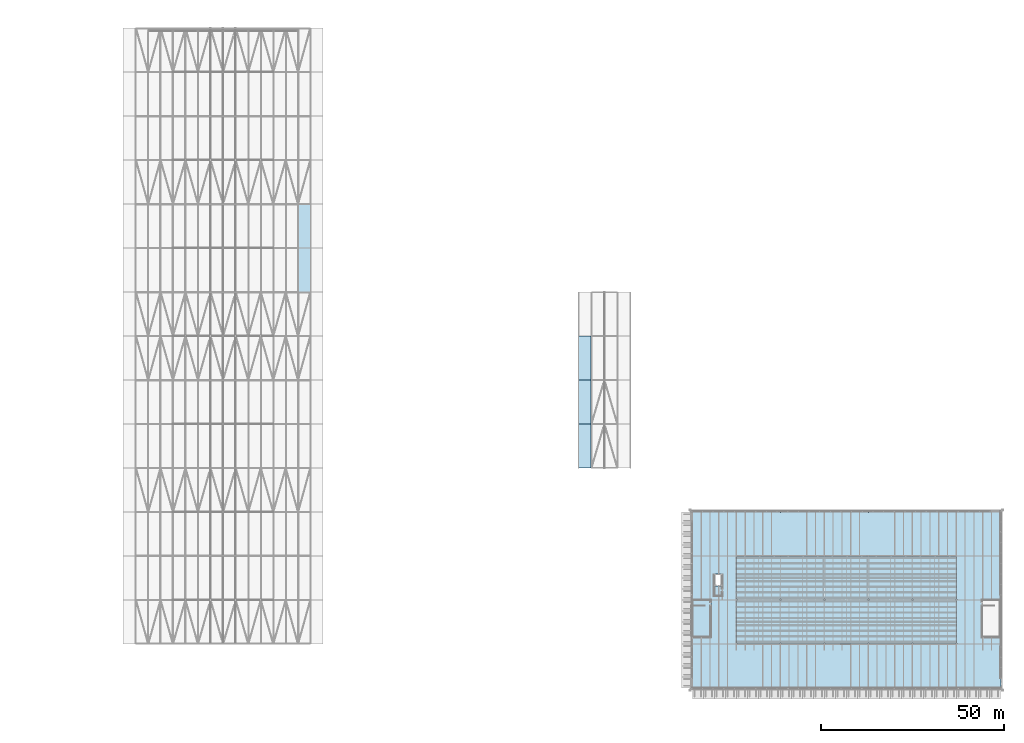
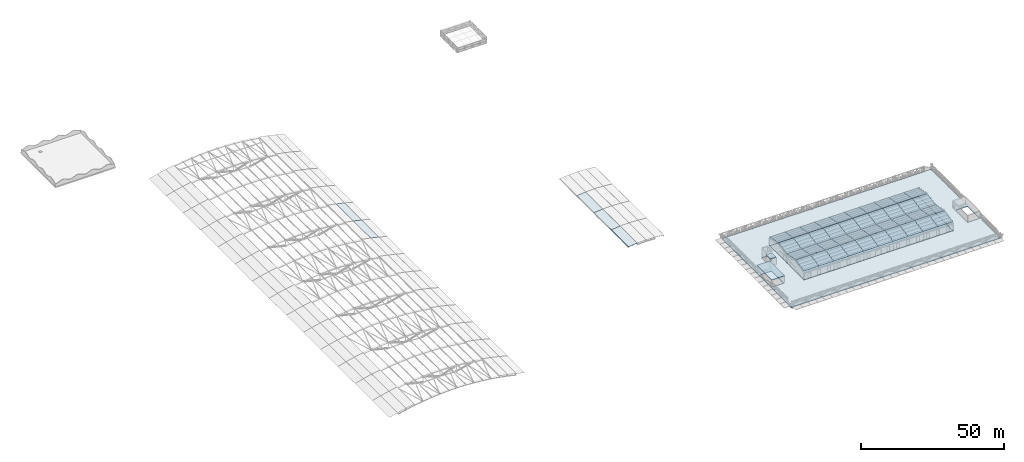
# One storey, part 51 of 91: 49 slabs.
"""IFC4 building model written with IfcOpenShell, lengths in metres."""

from ifc_helpers import new_model, si_unit, direction, frame, origin, place, context, subcontext, project, spatial, polyline, outline, extrude, material, layer, layer_set, type_object, element, save


model = new_model("IFC4")

# Units and contexts
model_context = context("Model", 3, precision=1e-05, world=origin(), true_north=direction((0.0, 1.0)))
body_context = subcontext(model_context, "Body", "Model", "MODEL_VIEW")
ifc_project = project(units=[si_unit("LENGTHUNIT", "METRE"), si_unit("AREAUNIT", "SQUARE_METRE"), si_unit("VOLUMEUNIT", "CUBIC_METRE"), si_unit("PLANEANGLEUNIT", "RADIAN"), si_unit("MASSUNIT", "GRAM", prefix="KILO")], contexts=[model_context])

# Site, building, storey
site_placement = place(None, origin())
site = spatial("IfcSite", under=ifc_project, at=site_placement, CompositionType="ELEMENT")
building_placement = place(site_placement, origin())
building = spatial("IfcBuilding", under=site, at=building_placement, Name="Ravi Spectrum Wholesale Market", CompositionType="ELEMENT")
storey_placement = place(building_placement, frame((0.0, 0.0, 16.199951171875)))
storey = spatial("IfcBuildingStorey", under=building, at=storey_placement, Name="ROOF PLANT LEVEL", CompositionType="ELEMENT", Elevation=16.199951171875)

# Slabs
ifc_material_1 = material(Name="Concrete C35/45", Category="concrete")
ifc_layer_1 = layer(ifc_material_1, 0.25)
ifc_layer_set_1 = layer_set([ifc_layer_1], Name="Concrete C35/45")
slab_type_1 = type_object("IfcSlabType", Name="Composite deck slab 250", PredefinedType="FLOOR", material=ifc_layer_set_1)
slab_1_placement = place(storey_placement, frame((0.0, 0.0, -0.25)))
element("IfcSlab", 1, at=slab_1_placement, inside=storey, type_object=slab_type_1, Name="Plant house floor slab", PredefinedType="FLOOR", context=body_context, shape_type="SweptSolid", body=[
    extrude(outline(polyline([(269.85009765625, 53.800048828125), (270.0, 53.800048828125), (270.0, 42.199951171875), (269.85009765625, 42.199951171875), (269.85009765625, 41.800048828125), (270.0, 41.800048828125), (270.0, 30.199951171875), (269.85009765625, 30.199951171875), (269.85009765625, 30.0), (258.14990234375, 30.0), (258.14990234375, 30.199951171875), (257.85009765625, 30.199951171875), (257.85009765625, 30.0), (246.14990234375, 30.0), (246.14990234375, 30.199951171875), (245.85009765625, 30.199951171875), (245.85009765625, 30.0), (234.14990234375, 30.0), (234.14990234375, 30.199951171875), (233.85009765625, 30.199951171875), (233.85009765625, 30.0), (222.14990234375, 30.0), (222.14990234375, 30.199951171875), (221.85009765625, 30.199951171875), (221.85009765625, 30.0), (210.14990234375, 30.0), (210.14990234375, 30.199951171875), (210.0, 30.199951171875), (210.0, 41.800048828125), (210.14990234375, 41.800048828125), (210.14990234375, 42.199951171875), (210.0, 42.199951171875), (210.0, 53.800048828125), (210.14990234375, 53.800048828125), (210.14990234375, 54.0), (221.85009765625, 54.0), (221.85009765625, 53.800048828125), (222.14990234375, 53.800048828125), (222.14990234375, 54.0), (233.85009765625, 54.0), (233.85009765625, 53.800048828125), (234.14990234375, 53.800048828125), (234.14990234375, 54.0), (245.85009765625, 54.0), (245.85009765625, 53.800048828125), (246.14990234375, 53.800048828125), (246.14990234375, 54.0), (257.85009765625, 54.0), (257.85009765625, 53.800048828125), (258.14990234375, 53.800048828125), (258.14990234375, 54.0), (269.85009765625, 54.0), (269.85009765625, 53.800048828125)]), holes=[polyline([(257.85009765625, 41.800048828125), (258.14990234375, 41.800048828125), (258.14990234375, 42.199951171875), (257.85009765625, 42.199951171875), (257.85009765625, 41.800048828125)]), polyline([(246.14990234375, 41.800048828125), (246.14990234375, 42.199951171875), (245.85009765625, 42.199951171875), (245.85009765625, 41.800048828125), (246.14990234375, 41.800048828125)]), polyline([(234.14990234375, 41.800048828125), (234.14990234375, 42.199951171875), (233.85009765625, 42.199951171875), (233.85009765625, 41.800048828125), (234.14990234375, 41.800048828125)]), polyline([(222.14990234375, 41.800048828125), (222.14990234375, 42.199951171875), (221.85009765625, 42.199951171875), (221.85009765625, 41.800048828125), (222.14990234375, 41.800048828125)])]), origin(), (0.0, 0.0, 1.0), 0.25),
])
ifc_material_2 = material(Name="Concrete C35/45", Category="concrete")
ifc_layer_2 = layer(ifc_material_2, 0.25)
ifc_layer_set_2 = layer_set([ifc_layer_2], Name="Concrete C35/45")
slab_type_2 = type_object("IfcSlabType", Name="Flat roof slab 250", PredefinedType="ROOF", material=ifc_layer_set_2)
slab_2_placement = place(storey_placement, frame((0.0, 0.0, -0.25)))
element("IfcSlab", 2, at=slab_2_placement, inside=storey, type_object=slab_type_2, Name="Plant deck slab", PredefinedType="ROOF", context=body_context, shape_type="SweptSolid", body=[
    extrude(outline(polyline([(197.75, 66.25), (282.25, 66.25), (282.25, 17.75), (197.75, 17.75), (197.75, 66.25)]), holes=[polyline([(281.85009765625, 65.830078125), (282.14990234375, 65.830078125), (282.14990234375, 66.169921875), (281.85009765625, 66.169921875), (281.85009765625, 65.830078125)]), polyline([(281.85009765625, 17.830078125), (282.14990234375, 17.830078125), (282.14990234375, 18.169921875), (281.85009765625, 18.169921875), (281.85009765625, 17.830078125)]), polyline([(282.14990234375, 29.830078125), (282.14990234375, 30.169921875), (281.85009765625, 30.169921875), (281.85009765625, 29.830078125), (282.14990234375, 29.830078125)]), polyline([(281.85009765625, 41.830078125), (282.14990234375, 41.830078125), (282.14990234375, 42.169921875), (281.85009765625, 42.169921875), (281.85009765625, 41.830078125)]), polyline([(282.14990234375, 53.830078125), (282.14990234375, 54.169921875), (281.85009765625, 54.169921875), (281.85009765625, 53.830078125), (282.14990234375, 53.830078125)]), polyline([(277.14990234375, 40.344970703125), (277.14990234375, 31.949951171875), (281.85009765625, 31.949951171875), (281.85009765625, 40.344970703125), (277.14990234375, 40.344970703125)]), polyline([(269.85009765625, 65.830078125), (270.14990234375, 65.830078125), (270.14990234375, 66.169921875), (269.85009765625, 66.169921875), (269.85009765625, 65.830078125)]), polyline([(269.85009765625, 54.0), (258.14990234375, 54.0), (258.14990234375, 54.199951171875), (257.85009765625, 54.199951171875), (257.85009765625, 54.0), (246.14990234375, 54.0), (246.14990234375, 54.199951171875), (245.85009765625, 54.199951171875), (245.85009765625, 54.0), (234.14990234375, 54.0), (234.14990234375, 54.199951171875), (233.85009765625, 54.199951171875), (233.85009765625, 54.0), (222.14990234375, 54.0), (222.14990234375, 54.199951171875), (221.85009765625, 54.199951171875), (221.85009765625, 54.0), (210.14990234375, 54.0), (210.14990234375, 54.199951171875), (209.85009765625, 54.199951171875), (209.85009765625, 53.800048828125), (210.0, 53.800048828125), (210.0, 42.199951171875), (209.85009765625, 42.199951171875), (209.85009765625, 41.800048828125), (210.0, 41.800048828125), (210.0, 30.199951171875), (209.85009765625, 30.199951171875), (209.85009765625, 29.800048828125), (210.14990234375, 29.800048828125), (210.14990234375, 30.0), (221.85009765625, 30.0), (221.85009765625, 29.800048828125), (222.14990234375, 29.800048828125), (222.14990234375, 30.0), (233.85009765625, 30.0), (233.85009765625, 29.800048828125), (234.14990234375, 29.800048828125), (234.14990234375, 30.0), (245.85009765625, 30.0), (245.85009765625, 29.800048828125), (246.14990234375, 29.800048828125), (246.14990234375, 30.0), (257.85009765625, 30.0), (257.85009765625, 29.800048828125), (258.14990234375, 29.800048828125), (258.14990234375, 30.0), (269.85009765625, 30.0), (269.85009765625, 29.800048828125), (270.14990234375, 29.800048828125), (270.14990234375, 30.199951171875), (270.0, 30.199951171875), (270.0, 41.800048828125), (270.14990234375, 41.800048828125), (270.14990234375, 42.199951171875), (270.0, 42.199951171875), (270.0, 53.800048828125), (270.14990234375, 53.800048828125), (270.14990234375, 54.199951171875), (269.85009765625, 54.199951171875), (269.85009765625, 54.0)]), polyline([(269.85009765625, 17.830078125), (270.14990234375, 17.830078125), (270.14990234375, 18.169921875), (269.85009765625, 18.169921875), (269.85009765625, 17.830078125)]), polyline([(258.14990234375, 17.830078125), (258.14990234375, 18.169921875), (257.85009765625, 18.169921875), (257.85009765625, 17.830078125), (258.14990234375, 17.830078125)]), polyline([(258.14990234375, 65.830078125), (258.14990234375, 66.169921875), (257.85009765625, 66.169921875), (257.85009765625, 65.830078125), (258.14990234375, 65.830078125)]), polyline([(245.85009765625, 65.830078125), (246.14990234375, 65.830078125), (246.14990234375, 66.169921875), (245.85009765625, 66.169921875), (245.85009765625, 65.830078125)]), polyline([(245.85009765625, 17.830078125), (246.14990234375, 17.830078125), (246.14990234375, 18.169921875), (245.85009765625, 18.169921875), (245.85009765625, 17.830078125)]), polyline([(233.85009765625, 65.830078125), (234.14990234375, 65.830078125), (234.14990234375, 66.169921875), (233.85009765625, 66.169921875), (233.85009765625, 65.830078125)]), polyline([(233.85009765625, 17.830078125), (234.14990234375, 17.830078125), (234.14990234375, 18.169921875), (233.85009765625, 18.169921875), (233.85009765625, 17.830078125)]), polyline([(221.85009765625, 65.830078125), (222.14990234375, 65.830078125), (222.14990234375, 66.169921875), (221.85009765625, 66.169921875), (221.85009765625, 65.830078125)]), polyline([(222.14990234375, 17.830078125), (222.14990234375, 18.169921875), (221.85009765625, 18.169921875), (221.85009765625, 17.830078125), (222.14990234375, 17.830078125)]), polyline([(210.14990234375, 17.830078125), (210.14990234375, 18.169921875), (209.85009765625, 18.169921875), (209.85009765625, 17.830078125), (210.14990234375, 17.830078125)]), polyline([(209.85009765625, 65.830078125), (210.14990234375, 65.830078125), (210.14990234375, 66.169921875), (209.85009765625, 66.169921875), (209.85009765625, 65.830078125)]), polyline([(203.875, 45.875), (206.27490234375, 45.875), (206.27490234375, 49.074951171875), (203.875, 49.074951171875), (203.875, 45.875)]), polyline([(198.14990234375, 31.949951171875), (202.85009765625, 31.949951171875), (202.85009765625, 40.344970703125), (198.14990234375, 40.344970703125), (198.14990234375, 31.949951171875)]), polyline([(198.14990234375, 65.830078125), (198.14990234375, 66.169921875), (197.85009765625, 66.169921875), (197.85009765625, 65.830078125), (198.14990234375, 65.830078125)]), polyline([(197.85009765625, 53.830078125), (198.14990234375, 53.830078125), (198.14990234375, 54.169921875), (197.85009765625, 54.169921875), (197.85009765625, 53.830078125)]), polyline([(198.14990234375, 41.830078125), (198.14990234375, 42.169921875), (197.85009765625, 42.169921875), (197.85009765625, 41.830078125), (198.14990234375, 41.830078125)]), polyline([(198.14990234375, 29.830078125), (198.14990234375, 30.169921875), (197.85009765625, 30.169921875), (197.85009765625, 29.830078125), (198.14990234375, 29.830078125)]), polyline([(198.14990234375, 17.830078125), (198.14990234375, 18.169921875), (197.85009765625, 18.169921875), (197.85009765625, 17.830078125), (198.14990234375, 17.830078125)])]), origin(), (0.0, 0.0, 1.0), 0.25),
])
slab_3_placement = place(storey_placement, frame((0.0, 0.0, 3.0)))
element("IfcSlab", 3, at=slab_3_placement, inside=storey, type_object=slab_type_2, Name="Lift lobby roof LF-CS-1", PredefinedType="ROOF", context=body_context, shape_type="SweptSolid", body=[
    extrude(outline(polyline([(206.27490234375, 42.97509765625), (206.27490234375, 45.875), (203.875, 45.875), (203.875, 42.97509765625), (206.27490234375, 42.97509765625)])), origin(), (0.0, 0.0, 1.0), 0.25),
])
slab_4_placement = place(storey_placement, frame((0.0, 0.0, 3.0)))
element("IfcSlab", 4, at=slab_4_placement, inside=storey, type_object=slab_type_2, Name="Head house roof Stair S-CS-1", PredefinedType="ROOF", context=body_context, shape_type="SweptSolid", body=[
    extrude(outline(polyline([(203.125, 31.675048828125), (203.125, 42.125), (197.875, 42.125), (197.875, 31.675048828125), (203.125, 31.675048828125)])), origin(), (0.0, 0.0, 1.0), 0.25),
])
ifc_material_3 = material(Name="Steel S355", Category="steel")
ifc_layer_3 = layer(ifc_material_3, 0.1201171875)
ifc_layer_set_3 = layer_set([ifc_layer_3], Name="Steel S355")
slab_type_3 = type_object("IfcSlabType", Name="Roof deck 120", PredefinedType="ROOF", material=ifc_layer_set_3)
slab_5_placement = place(storey_placement, frame((210.0, 30.0, 3.800048828125), z_axis=(0.0, -0.190798384862, 0.981629245863), x_axis=(1.0, 0.0, 0.0)))
element("IfcSlab", 5, at=slab_5_placement, inside=storey, type_object=slab_type_3, Name="Plant house roof deck", PredefinedType="ROOF", context=body_context, shape_type="SweptSolid", body=[
    extrude(outline(polyline([(0.0, 0.0), (6.0, 0.0), (6.0, 6.051104764127261), (0.0, 6.051104764127261), (0.0, 0.0)])), origin(), (0.0, 0.0, -1.0), 0.1201171875),
])
slab_6_placement = place(storey_placement, frame((210.0, 42.0, 3.800048828125), z_axis=(0.0, 0.190798384862, 0.981629245863), x_axis=(1.0, 0.0, 0.0)))
element("IfcSlab", 6, at=slab_6_placement, inside=storey, type_object=slab_type_3, Name="Plant house roof deck", PredefinedType="ROOF", context=body_context, shape_type="SweptSolid", body=[
    extrude(outline(polyline([(0.0, 0.0), (6.0, 0.0), (6.0, -6.051104764127261), (0.0, -6.051104764127261), (0.0, 0.0)])), origin(), (0.0, 0.0, -1.0), 0.1201171875),
])
slab_7_placement = place(storey_placement, frame((210.0, 42.0, 3.800048828125), z_axis=(0.0, -0.190798384862, 0.981629245863), x_axis=(1.0, 0.0, 0.0)))
element("IfcSlab", 7, at=slab_7_placement, inside=storey, type_object=slab_type_3, Name="Plant house roof deck", PredefinedType="ROOF", context=body_context, shape_type="SweptSolid", body=[
    extrude(outline(polyline([(0.0, 0.0), (6.0, 0.0), (6.0, 6.051104764127261), (0.0, 6.051104764127261), (0.0, 0.0)])), origin(), (0.0, 0.0, -1.0), 0.1201171875),
])
slab_8_placement = place(storey_placement, frame((210.0, 54.0, 3.800048828125), z_axis=(0.0, 0.190798384862, 0.981629245863), x_axis=(1.0, 0.0, 0.0)))
element("IfcSlab", 8, at=slab_8_placement, inside=storey, type_object=slab_type_3, Name="Plant house roof deck", PredefinedType="ROOF", context=body_context, shape_type="SweptSolid", body=[
    extrude(outline(polyline([(0.0, 0.0), (6.0, 0.0), (6.0, -6.051104764127261), (0.0, -6.051104764127261), (0.0, 0.0)])), origin(), (0.0, 0.0, -1.0), 0.1201171875),
])
slab_9_placement = place(storey_placement, frame((216.0, 30.0, 3.800048828125), z_axis=(0.0, -0.190798384862, 0.981629245863), x_axis=(1.0, 0.0, 0.0)))
element("IfcSlab", 9, at=slab_9_placement, inside=storey, type_object=slab_type_3, Name="Plant house roof deck", PredefinedType="ROOF", context=body_context, shape_type="SweptSolid", body=[
    extrude(outline(polyline([(0.0, 0.0), (6.0, 0.0), (6.0, 6.051104764127261), (0.0, 6.051104764127261), (0.0, 0.0)])), origin(), (0.0, 0.0, -1.0), 0.1201171875),
])
slab_10_placement = place(storey_placement, frame((216.0, 42.0, 3.800048828125), z_axis=(0.0, 0.190798384862, 0.981629245863), x_axis=(1.0, 0.0, 0.0)))
element("IfcSlab", 10, at=slab_10_placement, inside=storey, type_object=slab_type_3, Name="Plant house roof deck", PredefinedType="ROOF", context=body_context, shape_type="SweptSolid", body=[
    extrude(outline(polyline([(0.0, 0.0), (6.0, 0.0), (6.0, -6.051104764127261), (0.0, -6.051104764127261), (0.0, 0.0)])), origin(), (0.0, 0.0, -1.0), 0.1201171875),
])
slab_11_placement = place(storey_placement, frame((216.0, 42.0, 3.800048828125), z_axis=(0.0, -0.190798384862, 0.981629245863), x_axis=(1.0, 0.0, 0.0)))
element("IfcSlab", 11, at=slab_11_placement, inside=storey, type_object=slab_type_3, Name="Plant house roof deck", PredefinedType="ROOF", context=body_context, shape_type="SweptSolid", body=[
    extrude(outline(polyline([(0.0, 0.0), (6.0, 0.0), (6.0, 6.051104764127261), (0.0, 6.051104764127261), (0.0, 0.0)])), origin(), (0.0, 0.0, -1.0), 0.1201171875),
])
slab_12_placement = place(storey_placement, frame((216.0, 54.0, 3.800048828125), z_axis=(0.0, 0.190798384862, 0.981629245863), x_axis=(1.0, 0.0, 0.0)))
element("IfcSlab", 12, at=slab_12_placement, inside=storey, type_object=slab_type_3, Name="Plant house roof deck", PredefinedType="ROOF", context=body_context, shape_type="SweptSolid", body=[
    extrude(outline(polyline([(0.0, 0.0), (6.0, 0.0), (6.0, -6.051104764127261), (0.0, -6.051104764127261), (0.0, 0.0)])), origin(), (0.0, 0.0, -1.0), 0.1201171875),
])
slab_13_placement = place(storey_placement, frame((222.0, 30.0, 3.800048828125), z_axis=(0.0, -0.190798384862, 0.981629245863), x_axis=(1.0, 0.0, 0.0)))
element("IfcSlab", 13, at=slab_13_placement, inside=storey, type_object=slab_type_3, Name="Plant house roof deck", PredefinedType="ROOF", context=body_context, shape_type="SweptSolid", body=[
    extrude(outline(polyline([(0.0, 0.0), (6.0, 0.0), (6.0, 6.051104764127261), (0.0, 6.051104764127261), (0.0, 0.0)])), origin(), (0.0, 0.0, -1.0), 0.1201171875),
])
slab_14_placement = place(storey_placement, frame((222.0, 42.0, 3.800048828125), z_axis=(0.0, 0.190798384862, 0.981629245863), x_axis=(1.0, 0.0, 0.0)))
element("IfcSlab", 14, at=slab_14_placement, inside=storey, type_object=slab_type_3, Name="Plant house roof deck", PredefinedType="ROOF", context=body_context, shape_type="SweptSolid", body=[
    extrude(outline(polyline([(0.0, 0.0), (6.0, 0.0), (6.0, -6.051104764127261), (0.0, -6.051104764127261), (0.0, 0.0)])), origin(), (0.0, 0.0, -1.0), 0.1201171875),
])
slab_15_placement = place(storey_placement, frame((222.0, 42.0, 3.800048828125), z_axis=(0.0, -0.190798384862, 0.981629245863), x_axis=(1.0, 0.0, 0.0)))
element("IfcSlab", 15, at=slab_15_placement, inside=storey, type_object=slab_type_3, Name="Plant house roof deck", PredefinedType="ROOF", context=body_context, shape_type="SweptSolid", body=[
    extrude(outline(polyline([(0.0, 0.0), (6.0, 0.0), (6.0, 6.051104764127261), (0.0, 6.051104764127261), (0.0, 0.0)])), origin(), (0.0, 0.0, -1.0), 0.1201171875),
])
slab_16_placement = place(storey_placement, frame((222.0, 54.0, 3.800048828125), z_axis=(0.0, 0.190798384862, 0.981629245863), x_axis=(1.0, 0.0, 0.0)))
element("IfcSlab", 16, at=slab_16_placement, inside=storey, type_object=slab_type_3, Name="Plant house roof deck", PredefinedType="ROOF", context=body_context, shape_type="SweptSolid", body=[
    extrude(outline(polyline([(0.0, 0.0), (6.0, 0.0), (6.0, -6.051104764127261), (0.0, -6.051104764127261), (0.0, 0.0)])), origin(), (0.0, 0.0, -1.0), 0.1201171875),
])
slab_17_placement = place(storey_placement, frame((228.0, 30.0, 3.800048828125), z_axis=(0.0, -0.190798384862, 0.981629245863), x_axis=(1.0, 0.0, 0.0)))
element("IfcSlab", 17, at=slab_17_placement, inside=storey, type_object=slab_type_3, Name="Plant house roof deck", PredefinedType="ROOF", context=body_context, shape_type="SweptSolid", body=[
    extrude(outline(polyline([(0.0, 0.0), (6.0, 0.0), (6.0, 6.051104764127261), (0.0, 6.051104764127261), (0.0, 0.0)])), origin(), (0.0, 0.0, -1.0), 0.1201171875),
])
slab_18_placement = place(storey_placement, frame((228.0, 42.0, 3.800048828125), z_axis=(0.0, 0.190798384862, 0.981629245863), x_axis=(1.0, 0.0, 0.0)))
element("IfcSlab", 18, at=slab_18_placement, inside=storey, type_object=slab_type_3, Name="Plant house roof deck", PredefinedType="ROOF", context=body_context, shape_type="SweptSolid", body=[
    extrude(outline(polyline([(0.0, 0.0), (6.0, 0.0), (6.0, -6.051104764127261), (0.0, -6.051104764127261), (0.0, 0.0)])), origin(), (0.0, 0.0, -1.0), 0.1201171875),
])
slab_19_placement = place(storey_placement, frame((228.0, 42.0, 3.800048828125), z_axis=(0.0, -0.190798384862, 0.981629245863), x_axis=(1.0, 0.0, 0.0)))
element("IfcSlab", 19, at=slab_19_placement, inside=storey, type_object=slab_type_3, Name="Plant house roof deck", PredefinedType="ROOF", context=body_context, shape_type="SweptSolid", body=[
    extrude(outline(polyline([(0.0, 0.0), (6.0, 0.0), (6.0, 6.051104764127261), (0.0, 6.051104764127261), (0.0, 0.0)])), origin(), (0.0, 0.0, -1.0), 0.1201171875),
])
slab_20_placement = place(storey_placement, frame((228.0, 54.0, 3.800048828125), z_axis=(0.0, 0.190798384862, 0.981629245863), x_axis=(1.0, 0.0, 0.0)))
element("IfcSlab", 20, at=slab_20_placement, inside=storey, type_object=slab_type_3, Name="Plant house roof deck", PredefinedType="ROOF", context=body_context, shape_type="SweptSolid", body=[
    extrude(outline(polyline([(0.0, 0.0), (6.0, 0.0), (6.0, -6.051104764127261), (0.0, -6.051104764127261), (0.0, 0.0)])), origin(), (0.0, 0.0, -1.0), 0.1201171875),
])
slab_21_placement = place(storey_placement, frame((234.0, 30.0, 3.800048828125), z_axis=(0.0, -0.190798384862, 0.981629245863), x_axis=(1.0, 0.0, 0.0)))
element("IfcSlab", 21, at=slab_21_placement, inside=storey, type_object=slab_type_3, Name="Plant house roof deck", PredefinedType="ROOF", context=body_context, shape_type="SweptSolid", body=[
    extrude(outline(polyline([(0.0, 0.0), (6.0, 0.0), (6.0, 6.051104764127261), (0.0, 6.051104764127261), (0.0, 0.0)])), origin(), (0.0, 0.0, -1.0), 0.1201171875),
])
slab_22_placement = place(storey_placement, frame((234.0, 42.0, 3.800048828125), z_axis=(0.0, 0.190798384862, 0.981629245863), x_axis=(1.0, 0.0, 0.0)))
element("IfcSlab", 22, at=slab_22_placement, inside=storey, type_object=slab_type_3, Name="Plant house roof deck", PredefinedType="ROOF", context=body_context, shape_type="SweptSolid", body=[
    extrude(outline(polyline([(0.0, 0.0), (6.0, 0.0), (6.0, -6.051104764127261), (0.0, -6.051104764127261), (0.0, 0.0)])), origin(), (0.0, 0.0, -1.0), 0.1201171875),
])
slab_23_placement = place(storey_placement, frame((234.0, 42.0, 3.800048828125), z_axis=(0.0, -0.190798384862, 0.981629245863), x_axis=(1.0, 0.0, 0.0)))
element("IfcSlab", 23, at=slab_23_placement, inside=storey, type_object=slab_type_3, Name="Plant house roof deck", PredefinedType="ROOF", context=body_context, shape_type="SweptSolid", body=[
    extrude(outline(polyline([(0.0, 0.0), (6.0, 0.0), (6.0, 6.051104764127261), (0.0, 6.051104764127261), (0.0, 0.0)])), origin(), (0.0, 0.0, -1.0), 0.1201171875),
])
slab_24_placement = place(storey_placement, frame((234.0, 54.0, 3.800048828125), z_axis=(0.0, 0.190798384862, 0.981629245863), x_axis=(1.0, 0.0, 0.0)))
element("IfcSlab", 24, at=slab_24_placement, inside=storey, type_object=slab_type_3, Name="Plant house roof deck", PredefinedType="ROOF", context=body_context, shape_type="SweptSolid", body=[
    extrude(outline(polyline([(0.0, 0.0), (6.0, 0.0), (6.0, -6.051104764127261), (0.0, -6.051104764127261), (0.0, 0.0)])), origin(), (0.0, 0.0, -1.0), 0.1201171875),
])
slab_25_placement = place(storey_placement, frame((240.0, 30.0, 3.800048828125), z_axis=(0.0, -0.190798384862, 0.981629245863), x_axis=(1.0, 0.0, 0.0)))
element("IfcSlab", 25, at=slab_25_placement, inside=storey, type_object=slab_type_3, Name="Plant house roof deck", PredefinedType="ROOF", context=body_context, shape_type="SweptSolid", body=[
    extrude(outline(polyline([(0.0, 0.0), (6.0, 0.0), (6.0, 6.051104764127261), (0.0, 6.051104764127261), (0.0, 0.0)])), origin(), (0.0, 0.0, -1.0), 0.1201171875),
])
slab_26_placement = place(storey_placement, frame((240.0, 42.0, 3.800048828125), z_axis=(0.0, 0.190798384862, 0.981629245863), x_axis=(1.0, 0.0, 0.0)))
element("IfcSlab", 26, at=slab_26_placement, inside=storey, type_object=slab_type_3, Name="Plant house roof deck", PredefinedType="ROOF", context=body_context, shape_type="SweptSolid", body=[
    extrude(outline(polyline([(0.0, 0.0), (6.0, 0.0), (6.0, -6.051104764127261), (0.0, -6.051104764127261), (0.0, 0.0)])), origin(), (0.0, 0.0, -1.0), 0.1201171875),
])
slab_27_placement = place(storey_placement, frame((240.0, 42.0, 3.800048828125), z_axis=(0.0, -0.190798384862, 0.981629245863), x_axis=(1.0, 0.0, 0.0)))
element("IfcSlab", 27, at=slab_27_placement, inside=storey, type_object=slab_type_3, Name="Plant house roof deck", PredefinedType="ROOF", context=body_context, shape_type="SweptSolid", body=[
    extrude(outline(polyline([(0.0, 0.0), (6.0, 0.0), (6.0, 6.051104764127261), (0.0, 6.051104764127261), (0.0, 0.0)])), origin(), (0.0, 0.0, -1.0), 0.1201171875),
])
slab_28_placement = place(storey_placement, frame((240.0, 54.0, 3.800048828125), z_axis=(0.0, 0.190798384862, 0.981629245863), x_axis=(1.0, 0.0, 0.0)))
element("IfcSlab", 28, at=slab_28_placement, inside=storey, type_object=slab_type_3, Name="Plant house roof deck", PredefinedType="ROOF", context=body_context, shape_type="SweptSolid", body=[
    extrude(outline(polyline([(0.0, 0.0), (6.0, 0.0), (6.0, -6.051104764127261), (0.0, -6.051104764127261), (0.0, 0.0)])), origin(), (0.0, 0.0, -1.0), 0.1201171875),
])
slab_29_placement = place(storey_placement, frame((246.0, 30.0, 3.800048828125), z_axis=(0.0, -0.190798384862, 0.981629245863), x_axis=(1.0, 0.0, 0.0)))
element("IfcSlab", 29, at=slab_29_placement, inside=storey, type_object=slab_type_3, Name="Plant house roof deck", PredefinedType="ROOF", context=body_context, shape_type="SweptSolid", body=[
    extrude(outline(polyline([(0.0, 0.0), (6.0, 0.0), (6.0, 6.051104764127261), (0.0, 6.051104764127261), (0.0, 0.0)])), origin(), (0.0, 0.0, -1.0), 0.1201171875),
])
slab_30_placement = place(storey_placement, frame((246.0, 42.0, 3.800048828125), z_axis=(0.0, 0.190798384862, 0.981629245863), x_axis=(1.0, 0.0, 0.0)))
element("IfcSlab", 30, at=slab_30_placement, inside=storey, type_object=slab_type_3, Name="Plant house roof deck", PredefinedType="ROOF", context=body_context, shape_type="SweptSolid", body=[
    extrude(outline(polyline([(0.0, 0.0), (6.0, 0.0), (6.0, -6.051104764127261), (0.0, -6.051104764127261), (0.0, 0.0)])), origin(), (0.0, 0.0, -1.0), 0.1201171875),
])
slab_31_placement = place(storey_placement, frame((246.0, 42.0, 3.800048828125), z_axis=(0.0, -0.190798384862, 0.981629245863), x_axis=(1.0, 0.0, 0.0)))
element("IfcSlab", 31, at=slab_31_placement, inside=storey, type_object=slab_type_3, Name="Plant house roof deck", PredefinedType="ROOF", context=body_context, shape_type="SweptSolid", body=[
    extrude(outline(polyline([(0.0, 0.0), (6.0, 0.0), (6.0, 6.051104764127261), (0.0, 6.051104764127261), (0.0, 0.0)])), origin(), (0.0, 0.0, -1.0), 0.1201171875),
])
slab_32_placement = place(storey_placement, frame((246.0, 54.0, 3.800048828125), z_axis=(0.0, 0.190798384862, 0.981629245863), x_axis=(1.0, 0.0, 0.0)))
element("IfcSlab", 32, at=slab_32_placement, inside=storey, type_object=slab_type_3, Name="Plant house roof deck", PredefinedType="ROOF", context=body_context, shape_type="SweptSolid", body=[
    extrude(outline(polyline([(0.0, 0.0), (6.0, 0.0), (6.0, -6.051104764127261), (0.0, -6.051104764127261), (0.0, 0.0)])), origin(), (0.0, 0.0, -1.0), 0.1201171875),
])
slab_33_placement = place(storey_placement, frame((252.0, 30.0, 3.800048828125), z_axis=(0.0, -0.190798384862, 0.981629245863), x_axis=(1.0, 0.0, 0.0)))
element("IfcSlab", 33, at=slab_33_placement, inside=storey, type_object=slab_type_3, Name="Plant house roof deck", PredefinedType="ROOF", context=body_context, shape_type="SweptSolid", body=[
    extrude(outline(polyline([(0.0, 0.0), (6.0, 0.0), (6.0, 6.051104764127261), (0.0, 6.051104764127261), (0.0, 0.0)])), origin(), (0.0, 0.0, -1.0), 0.1201171875),
])
slab_34_placement = place(storey_placement, frame((252.0, 42.0, 3.800048828125), z_axis=(0.0, 0.190798384862, 0.981629245863), x_axis=(1.0, 0.0, 0.0)))
element("IfcSlab", 34, at=slab_34_placement, inside=storey, type_object=slab_type_3, Name="Plant house roof deck", PredefinedType="ROOF", context=body_context, shape_type="SweptSolid", body=[
    extrude(outline(polyline([(0.0, 0.0), (6.0, 0.0), (6.0, -6.051104764127261), (0.0, -6.051104764127261), (0.0, 0.0)])), origin(), (0.0, 0.0, -1.0), 0.1201171875),
])
slab_35_placement = place(storey_placement, frame((252.0, 42.0, 3.800048828125), z_axis=(0.0, -0.190798384862, 0.981629245863), x_axis=(1.0, 0.0, 0.0)))
element("IfcSlab", 35, at=slab_35_placement, inside=storey, type_object=slab_type_3, Name="Plant house roof deck", PredefinedType="ROOF", context=body_context, shape_type="SweptSolid", body=[
    extrude(outline(polyline([(0.0, 0.0), (6.0, 0.0), (6.0, 6.051104764127261), (0.0, 6.051104764127261), (0.0, 0.0)])), origin(), (0.0, 0.0, -1.0), 0.1201171875),
])
slab_36_placement = place(storey_placement, frame((252.0, 54.0, 3.800048828125), z_axis=(0.0, 0.190798384862, 0.981629245863), x_axis=(1.0, 0.0, 0.0)))
element("IfcSlab", 36, at=slab_36_placement, inside=storey, type_object=slab_type_3, Name="Plant house roof deck", PredefinedType="ROOF", context=body_context, shape_type="SweptSolid", body=[
    extrude(outline(polyline([(0.0, 0.0), (6.0, 0.0), (6.0, -6.051104764127261), (0.0, -6.051104764127261), (0.0, 0.0)])), origin(), (0.0, 0.0, -1.0), 0.1201171875),
])
slab_37_placement = place(storey_placement, frame((258.0, 30.0, 3.800048828125), z_axis=(0.0, -0.190798384862, 0.981629245863), x_axis=(1.0, 0.0, 0.0)))
element("IfcSlab", 37, at=slab_37_placement, inside=storey, type_object=slab_type_3, Name="Plant house roof deck", PredefinedType="ROOF", context=body_context, shape_type="SweptSolid", body=[
    extrude(outline(polyline([(0.0, 0.0), (6.0, 0.0), (6.0, 6.051104764127261), (0.0, 6.051104764127261), (0.0, 0.0)])), origin(), (0.0, 0.0, -1.0), 0.1201171875),
])
slab_38_placement = place(storey_placement, frame((258.0, 42.0, 3.800048828125), z_axis=(0.0, 0.190798384862, 0.981629245863), x_axis=(1.0, 0.0, 0.0)))
element("IfcSlab", 38, at=slab_38_placement, inside=storey, type_object=slab_type_3, Name="Plant house roof deck", PredefinedType="ROOF", context=body_context, shape_type="SweptSolid", body=[
    extrude(outline(polyline([(0.0, 0.0), (6.0, 0.0), (6.0, -6.051104764127261), (0.0, -6.051104764127261), (0.0, 0.0)])), origin(), (0.0, 0.0, -1.0), 0.1201171875),
])
slab_39_placement = place(storey_placement, frame((258.0, 42.0, 3.800048828125), z_axis=(0.0, -0.190798384862, 0.981629245863), x_axis=(1.0, 0.0, 0.0)))
element("IfcSlab", 39, at=slab_39_placement, inside=storey, type_object=slab_type_3, Name="Plant house roof deck", PredefinedType="ROOF", context=body_context, shape_type="SweptSolid", body=[
    extrude(outline(polyline([(0.0, 0.0), (6.0, 0.0), (6.0, 6.051104764127261), (0.0, 6.051104764127261), (0.0, 0.0)])), origin(), (0.0, 0.0, -1.0), 0.1201171875),
])
slab_40_placement = place(storey_placement, frame((258.0, 54.0, 3.800048828125), z_axis=(0.0, 0.190798384862, 0.981629245863), x_axis=(1.0, 0.0, 0.0)))
element("IfcSlab", 40, at=slab_40_placement, inside=storey, type_object=slab_type_3, Name="Plant house roof deck", PredefinedType="ROOF", context=body_context, shape_type="SweptSolid", body=[
    extrude(outline(polyline([(0.0, 0.0), (6.0, 0.0), (6.0, -6.051104764127261), (0.0, -6.051104764127261), (0.0, 0.0)])), origin(), (0.0, 0.0, -1.0), 0.1201171875),
])
slab_41_placement = place(storey_placement, frame((264.0, 30.0, 3.800048828125), z_axis=(0.0, -0.190798384862, 0.981629245863), x_axis=(1.0, 0.0, 0.0)))
element("IfcSlab", 41, at=slab_41_placement, inside=storey, type_object=slab_type_3, Name="Plant house roof deck", PredefinedType="ROOF", context=body_context, shape_type="SweptSolid", body=[
    extrude(outline(polyline([(0.0, 0.0), (6.0, 0.0), (6.0, 6.051104764127261), (0.0, 6.051104764127261), (0.0, 0.0)])), origin(), (0.0, 0.0, -1.0), 0.1201171875),
])
slab_42_placement = place(storey_placement, frame((264.0, 42.0, 3.800048828125), z_axis=(0.0, 0.190798384862, 0.981629245863), x_axis=(1.0, 0.0, 0.0)))
element("IfcSlab", 42, at=slab_42_placement, inside=storey, type_object=slab_type_3, Name="Plant house roof deck", PredefinedType="ROOF", context=body_context, shape_type="SweptSolid", body=[
    extrude(outline(polyline([(0.0, 0.0), (6.0, 0.0), (6.0, -6.051104764127261), (0.0, -6.051104764127261), (0.0, 0.0)])), origin(), (0.0, 0.0, -1.0), 0.1201171875),
])
slab_43_placement = place(storey_placement, frame((264.0, 42.0, 3.800048828125), z_axis=(0.0, -0.190798384862, 0.981629245863), x_axis=(1.0, 0.0, 0.0)))
element("IfcSlab", 43, at=slab_43_placement, inside=storey, type_object=slab_type_3, Name="Plant house roof deck", PredefinedType="ROOF", context=body_context, shape_type="SweptSolid", body=[
    extrude(outline(polyline([(0.0, 0.0), (6.0, 0.0), (6.0, 6.051104764127261), (0.0, 6.051104764127261), (0.0, 0.0)])), origin(), (0.0, 0.0, -1.0), 0.1201171875),
])
slab_44_placement = place(storey_placement, frame((264.0, 54.0, 3.800048828125), z_axis=(0.0, 0.190798384862, 0.981629245863), x_axis=(1.0, 0.0, 0.0)))
element("IfcSlab", 44, at=slab_44_placement, inside=storey, type_object=slab_type_3, Name="Plant house roof deck", PredefinedType="ROOF", context=body_context, shape_type="SweptSolid", body=[
    extrude(outline(polyline([(0.0, 0.0), (6.0, 0.0), (6.0, -6.051104764127261), (0.0, -6.051104764127261), (0.0, 0.0)])), origin(), (0.0, 0.0, -1.0), 0.1201171875),
])
ifc_material_4 = material(Name="Steel S355", Category="steel")
ifc_layer_4 = layer(ifc_material_4, 0.1201171875)
ifc_layer_set_4 = layer_set([ifc_layer_4], Name="Steel S355")
slab_type_4 = type_object("IfcSlabType", Name="Roof panel 120", PredefinedType="ROOF", material=ifc_layer_set_4)
for number, where, z_axis, x_axis, name in (
    (45, (90.56005859375, 126.0, 1.45751953125), (0.222349705354, 0.0, 0.974966978174), (0.974966978174, 0.0, -0.222349705354), "H1-SL-ROOF-126"),
    (46, (90.56005859375, 138.0, 1.45751953125), (0.222349705354, 0.0, 0.974966978174), (0.974966978174, 0.0, -0.222349705354), "H1-SL-ROOF-140"),
):
    element("IfcSlab", number, at=place(storey_placement, frame(where, z_axis=z_axis, x_axis=x_axis)), inside=storey, type_object=slab_type_4, Name=name, PredefinedType="ROOF", context=body_context, shape_type="SweptSolid", body=[
        extrude(outline(polyline([(0.0, 0.0), (3.4466311554413664, 0.0), (3.4466311554413664, 12.0), (0.0, 12.0), (0.0, 0.0)])), origin(), (0.0, 0.0, -1.0), 0.1201171875),
    ])
for number, where, z_axis, x_axis, name in (
    (47, (166.86669921875, 78.0, 0.1005859375), (-0.094715502397, 0.0, 0.99550438151), (0.99550438151, 0.0, 0.094715502397), "H2-SL-ROOF-001"),
    (48, (166.86669921875, 90.0, 0.1005859375), (-0.094715502397, 0.0, 0.99550438151), (0.99550438151, 0.0, 0.094715502397), "H2-SL-ROOF-005"),
    (49, (166.86669921875, 102.0, 0.1005859375), (-0.094715502397, 0.0, 0.99550438151), (0.99550438151, 0.0, 0.094715502397), "H2-SL-ROOF-009"),
):
    element("IfcSlab", number, at=place(storey_placement, frame(where, z_axis=z_axis, x_axis=x_axis)), inside=storey, type_object=slab_type_4, Name=name, PredefinedType="ROOF", context=body_context, shape_type="SweptSolid", body=[
        extrude(outline(polyline([(0.0, 0.0), (3.5700044561673514, 0.0), (3.5700044561673514, 11.999999999999998), (0.0, 11.999999999999998), (0.0, 0.0)])), origin(), (0.0, 0.0, -1.0), 0.1201171875),
    ])

save(model, "model.ifc")
